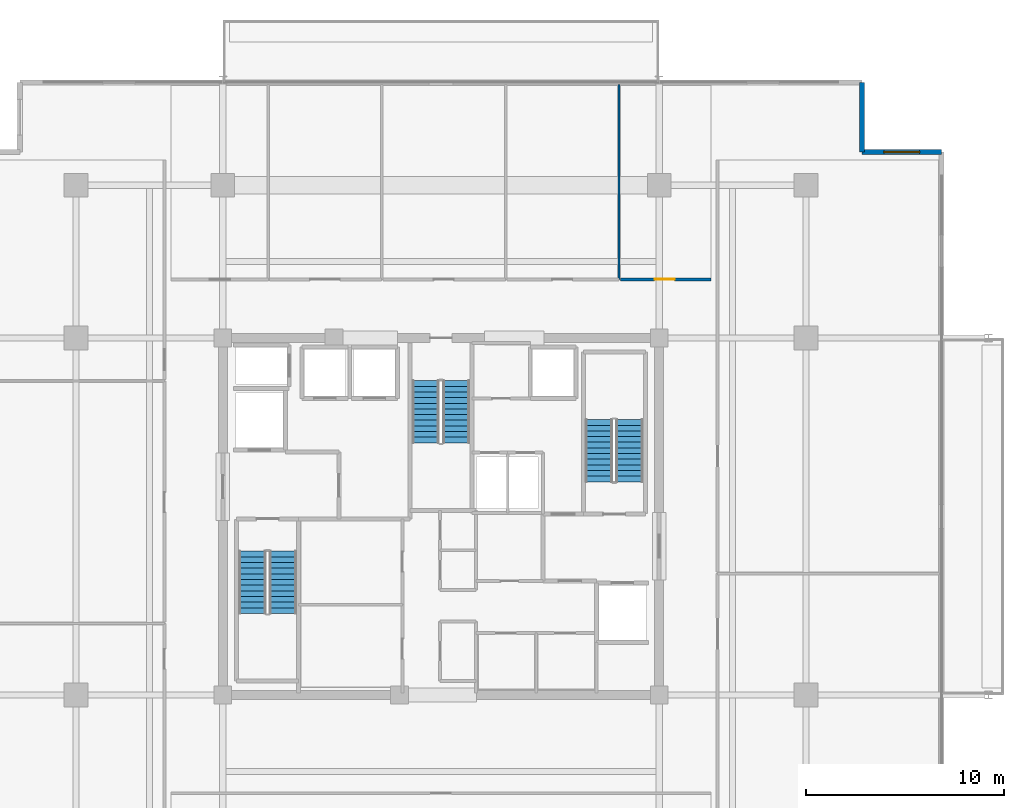
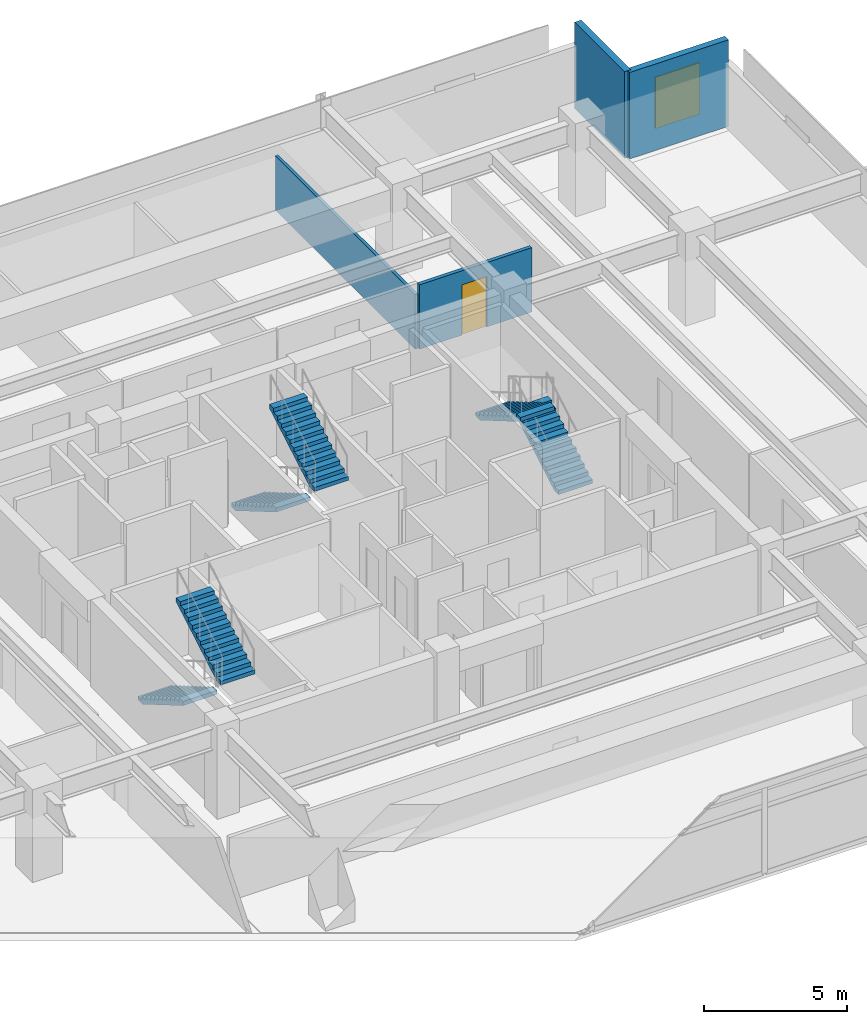
# One storey, part 16 of 20: 6 stair flights, 4 walls, 1 door, 1 window, 2 openings, 3 elements without a shape of their own.
"""IFC4 building model written with IfcOpenShell, lengths in metres."""

from ifc_helpers import new_model, si_unit, direction, frame, frame_2d, origin, place, context, subcontext, project, spatial, polyline, rectangle, outline, extrude, material, layer, layer_set, type_object, element, fill, aggregate, save


model = new_model("IFC4")

# Units and contexts
model_context = context("Model", 3, precision=1e-05, world=origin(), true_north=direction((0.0, 1.0)))
body_context = subcontext(model_context, "Body", "Model", "MODEL_VIEW")
ifc_project = project(units=[si_unit("LENGTHUNIT", "METRE"), si_unit("AREAUNIT", "SQUARE_METRE"), si_unit("VOLUMEUNIT", "CUBIC_METRE"), si_unit("PLANEANGLEUNIT", "RADIAN"), si_unit("MASSUNIT", "GRAM", prefix="KILO")], contexts=[model_context])

# Site, building, storey
site_placement = place(None, origin())
site = spatial("IfcSite", under=ifc_project, at=site_placement, CompositionType="ELEMENT")
building_placement = place(site_placement, origin())
building = spatial("IfcBuilding", under=site, at=building_placement, Name="Kovane Verandah Tower", CompositionType="ELEMENT")
storey_placement = place(building_placement, frame((0.0, 0.0, 291.199951171875)))
storey = spatial("IfcBuildingStorey", under=building, at=storey_placement, Name="L68", CompositionType="ELEMENT", Elevation=291.199951171875)

# Wall, opening, door
ifc_material_1 = material(Name="Fire-Rated Gypsum Stud Partition", Category="gypsum")
ifc_layer_1 = layer(ifc_material_1, 0.14990234375)
ifc_layer_set_1 = layer_set([ifc_layer_1], Name="Fire-Rated Gypsum Stud Partition")
wall_type_1 = type_object("IfcWallType", Name="WL-COR-150", PredefinedType="PARTITIONING", material=ifc_layer_set_1)
wall_1_placement = place(storey_placement, frame((49.0458984375, 39.449951171875, 0.0), z_axis=(0.0, 0.0, 1.0), x_axis=(1.0, 0.0, 0.0)))
wall_1 = element("IfcWall", 1, at=wall_1_placement, inside=storey, type_object=wall_type_1, Name="L68 Breakout Pantry N5 Corridor Partition", PredefinedType="PARTITIONING", context=body_context, shape_type="SweptSolid", body=[
    extrude(rectangle(XDim=4.55419921875, YDim=0.14990234375, at=frame_2d((2.277099609375, 0.0))), origin(), (0.0, 0.0, 1.0), 2.75341796875),
])
opening_1_placement = place(wall_1_placement, frame((1.72705078125, 0.0, 0.0)))
opening_1 = element("IfcOpeningElement", 2, at=opening_1_placement, cuts=wall_1, Name="Opening DR-L68-025", PredefinedType="OPENING", context=body_context, shape_type="SweptSolid", body=[
    extrude(rectangle(XDim=1.0, YDim=2.14990234375, at=frame_2d((0.5, 1.074951171875))), frame((0.0, 0.074951171875, 0.0), z_axis=(0.0, -1.0, 0.0), x_axis=(1.0, 0.0, 0.0)), (0.0, 0.0, 1.0), 0.14990234375),
])
ifc_material_2 = material(Name="FSC Spotted-Gum Timber Fire-Rated Office Door", Category="wood")
door_type = type_object("IfcDoorType", Name="DR-OFF-1000", OperationType="SINGLE_SWING_LEFT", PredefinedType="DOOR", material=ifc_material_2)
door_placement = place(opening_1_placement, origin())
door = element("IfcDoor", 3, at=door_placement, inside=storey, type_object=door_type, Name="L68 Breakout Pantry N5 Entrance Door", OperationType="SINGLE_SWING_LEFT", OverallHeight=2.14990234375, OverallWidth=1.0, PredefinedType="DOOR", context=body_context, shape_type="SweptSolid", body=[
    extrude(rectangle(XDim=1.0, YDim=2.14990234375, at=frame_2d((0.5, 1.074951171875))), frame((0.0, 0.02490234375, 0.0), z_axis=(0.0, -1.0, 0.0), x_axis=(1.0, 0.0, 0.0)), (0.0, 0.0, 1.0), 0.050048828125),
])
fill(opening_1, door)

# Wall
ifc_material_3 = material(Name="Acoustic Fire-Rated Gypsum Partition", Category="gypsum")
ifc_layer_2 = layer(ifc_material_3, 0.1201171875)
ifc_layer_set_2 = layer_set([ifc_layer_2], Name="Acoustic Fire-Rated Gypsum Partition")
wall_type_2 = type_object("IfcWallType", Name="WL-PART-120", PredefinedType="PARTITIONING", material=ifc_layer_set_2)
wall_2_placement = place(storey_placement, frame((48.97607421875, 39.449951171875, 0.0), z_axis=(0.0, 0.0, 1.0), x_axis=(0.0, 1.0, 0.0)))
element("IfcWall", 4, at=wall_2_placement, inside=storey, type_object=wall_type_2, Name="L68 Focus Studio N4 Dividing Partition", PredefinedType="PARTITIONING", context=body_context, shape_type="SweptSolid", body=[
    extrude(rectangle(XDim=9.83056640625, YDim=0.1201171875, at=frame_2d((4.915283203125, 0.0))), origin(), (0.0, 0.0, 1.0), 2.330078125),
])

# Wall, opening, window
ifc_material_4 = material(Name="Concrete C45/55 Insulated Spandrel Wall", Category="concrete")
ifc_layer_3 = layer(ifc_material_4, 0.260009765625)
ifc_layer_set_3 = layer_set([ifc_layer_3], Name="Concrete C45/55 Insulated Spandrel Wall")
wall_type_3 = type_object("IfcWallType", Name="WL-SPANDREL-260", PredefinedType="PARAPET", material=ifc_layer_set_3)
wall_3_placement = place(storey_placement, frame((65.231689453125, 45.880615234375, 0.0), z_axis=(0.0, 0.0, 1.0), x_axis=(-1.0, 0.0, 0.0)))
wall_3 = element("IfcWall", 5, at=wall_3_placement, inside=storey, type_object=wall_type_3, Name="L68 NE Notch Cheek Wall 1", PredefinedType="PARAPET", context=body_context, shape_type="SweptSolid", body=[
    extrude(rectangle(XDim=4.0, YDim=0.260009765625, at=frame_2d((2.0, 0.0))), origin(), (0.0, 0.0, 1.0), 3.699951171875),
])
opening_2_placement = place(wall_3_placement, frame((1.10009765625, 0.0, 0.85009765625)))
opening_2 = element("IfcOpeningElement", 6, at=opening_2_placement, cuts=wall_3, Name="Opening W-03", PredefinedType="OPENING", context=body_context, shape_type="SweptSolid", body=[
    extrude(rectangle(XDim=1.800048828125, YDim=2.199951171875, at=frame_2d((0.89990234375, 1.10009765625))), frame((0.0, 0.1298828125, 0.0), z_axis=(0.0, -1.0, 0.0), x_axis=(1.0, 0.0, 0.0)), (0.0, 0.0, 1.0), 0.260009765625),
])
ifc_material_5 = material(Name="Clear Low-E Laminated Double Glazing in Anodised Frame", Category="glass")
window_type = type_object("IfcWindowType", Name="WN-NOTCH-1800x2200", PartitioningType="SINGLE_PANEL", PredefinedType="WINDOW", material=ifc_material_5)
window_placement = place(opening_2_placement, origin())
window = element("IfcWindow", 7, at=window_placement, inside=storey, type_object=window_type, Name="L68 NE Re-Entrant Corner Operable Window", OverallHeight=2.199951171875, OverallWidth=1.800048828125, PartitioningType="SINGLE_PANEL", PredefinedType="WINDOW", context=body_context, shape_type="SweptSolid", body=[
    extrude(rectangle(XDim=1.800048828125, YDim=2.199951171875, at=frame_2d((0.89990234375, 1.10009765625))), frame((0.0, 0.030029296875, 0.0), z_axis=(0.0, -1.0, 0.0), x_axis=(1.0, 0.0, 0.0)), (0.0, 0.0, 1.0), 0.06005859375),
])
fill(opening_2, window)

# Wall
wall_4_placement = place(storey_placement, frame((61.231689453125, 45.880615234375, 0.0), z_axis=(0.0, 0.0, 1.0), x_axis=(0.0, 1.0, 0.0)))
element("IfcWall", 8, at=wall_4_placement, inside=storey, type_object=wall_type_3, Name="L68 NE Notch Cheek Wall 2", PredefinedType="PARAPET", context=body_context, shape_type="SweptSolid", body=[
    extrude(rectangle(XDim=3.5, YDim=0.260009765625, at=frame_2d((1.75, 0.0))), origin(), (0.0, 0.0, 1.0), 3.699951171875),
])

# Stair, stair flights
ifc_material_6 = material(Name="Concrete C45/55", Category="concrete")
stair_type = type_object("IfcStairType", Name="ST-CORE-1380", PredefinedType="HALF_TURN_STAIR", material=ifc_material_6)
stair_1_placement = place(storey_placement, origin())
stair_1 = element("IfcStair", 9, at=stair_1_placement, inside=storey, type_object=stair_type, Name="L68 Exit Stair ST-01", PredefinedType="HALF_TURN_STAIR")
stair_flight_type = type_object("IfcStairFlightType", Name="STF-CORE-1380", PredefinedType="STRAIGHT", material=ifc_material_6)
stair_flight_1_placement = place(storey_placement, frame((30.489990234375, 25.75, 0.0), z_axis=(0.0, 0.0, 1.0), x_axis=(0.0, -1.0, 0.0)))
stair_flight_1 = element("IfcStairFlight", 10, at=stair_flight_1_placement, type_object=stair_flight_type, Name="ST-01 flight 1", NumberOfRisers=12, NumberOfTreads=11, PredefinedType="STRAIGHT", RiserHeight=0.166666667, TreadLength=0.285, context=body_context, shape_type="SweptSolid", body=[
    extrude(outline(polyline([(0.0, 0.0), (0.0, 0.166748046875), (0.284912109375, 0.166748046875), (0.284912109375, 0.333251953125), (0.570068359375, 0.333251953125), (0.570068359375, 0.5), (0.85498046875, 0.5), (0.85498046875, 0.666748046875), (1.139892578125, 0.666748046875), (1.139892578125, 0.833251953125), (1.425048828125, 0.833251953125), (1.425048828125, 1.0), (1.7099609375, 1.0), (1.7099609375, 1.166748046875), (1.9951171875, 1.166748046875), (1.9951171875, 1.333251953125), (2.280029296875, 1.333251953125), (2.280029296875, 1.5), (2.56494140625, 1.5), (2.56494140625, 1.666748046875), (2.85009765625, 1.666748046875), (2.85009765625, 1.833251953125), (3.135009765625, 1.833251953125), (3.135009765625, 2.0), (3.135009765625, 1.65966796875), (0.296875, 0.0), (0.0, 0.0)])), frame((0.0, 0.68994140625, 0.0), z_axis=(0.0, -1.0, 0.0), x_axis=(1.0, 0.0, 0.0)), (0.0, 0.0, 1.0), 1.3798828125),
])
stair_flight_2_placement = place(storey_placement, frame((32.030029296875, 22.614990234375, 2.0), z_axis=(0.0, 0.0, 1.0), x_axis=(0.0, 1.0, 0.0)))
stair_flight_2 = element("IfcStairFlight", 11, at=stair_flight_2_placement, type_object=stair_flight_type, Name="ST-01 flight 2", NumberOfRisers=12, NumberOfTreads=11, PredefinedType="STRAIGHT", RiserHeight=0.166666667, TreadLength=0.285, context=body_context, shape_type="SweptSolid", body=[
    extrude(outline(polyline([(0.0, 0.0), (0.0, 0.166748046875), (0.284912109375, 0.166748046875), (0.284912109375, 0.333251953125), (0.570068359375, 0.333251953125), (0.570068359375, 0.5), (0.85498046875, 0.5), (0.85498046875, 0.666748046875), (1.139892578125, 0.666748046875), (1.139892578125, 0.833251953125), (1.425048828125, 0.833251953125), (1.425048828125, 1.0), (1.7099609375, 1.0), (1.7099609375, 1.166748046875), (1.9951171875, 1.166748046875), (1.9951171875, 1.333251953125), (2.280029296875, 1.333251953125), (2.280029296875, 1.5), (2.56494140625, 1.5), (2.56494140625, 1.666748046875), (2.85009765625, 1.666748046875), (2.85009765625, 1.833251953125), (3.135009765625, 1.833251953125), (3.135009765625, 2.0), (3.135009765625, 1.65966796875), (0.296875, 0.0), (0.0, 0.0)])), frame((0.0, 0.68994140625, 0.0), z_axis=(0.0, -1.0, 0.0), x_axis=(1.0, 0.0, 0.0)), (0.0, 0.0, 1.0), 1.3798828125),
])
aggregate(stair_1, [stair_flight_1, stair_flight_2])

stair_2_placement = place(storey_placement, origin())
stair_2 = element("IfcStair", 12, at=stair_2_placement, inside=storey, type_object=stair_type, Name="L68 Exit Stair ST-02", PredefinedType="HALF_TURN_STAIR")
stair_flight_3_placement = place(storey_placement, frame((49.510009765625, 29.25, 0.0), z_axis=(0.0, 0.0, 1.0), x_axis=(0.0, 1.0, 0.0)))
stair_flight_3 = element("IfcStairFlight", 13, at=stair_flight_3_placement, type_object=stair_flight_type, Name="ST-02 flight 1", NumberOfRisers=12, NumberOfTreads=11, PredefinedType="STRAIGHT", RiserHeight=0.166666667, TreadLength=0.285, context=body_context, shape_type="SweptSolid", body=[
    extrude(outline(polyline([(0.0, 0.0), (0.0, 0.166748046875), (0.284912109375, 0.166748046875), (0.284912109375, 0.333251953125), (0.570068359375, 0.333251953125), (0.570068359375, 0.5), (0.85498046875, 0.5), (0.85498046875, 0.666748046875), (1.139892578125, 0.666748046875), (1.139892578125, 0.833251953125), (1.425048828125, 0.833251953125), (1.425048828125, 1.0), (1.7099609375, 1.0), (1.7099609375, 1.166748046875), (1.9951171875, 1.166748046875), (1.9951171875, 1.333251953125), (2.280029296875, 1.333251953125), (2.280029296875, 1.5), (2.56494140625, 1.5), (2.56494140625, 1.666748046875), (2.85009765625, 1.666748046875), (2.85009765625, 1.833251953125), (3.135009765625, 1.833251953125), (3.135009765625, 2.0), (3.135009765625, 1.65966796875), (0.296875, 0.0), (0.0, 0.0)])), frame((0.0, 0.68994140625, 0.0), z_axis=(0.0, -1.0, 0.0), x_axis=(1.0, 0.0, 0.0)), (0.0, 0.0, 1.0), 1.3798828125),
])
stair_flight_4_placement = place(storey_placement, frame((47.969970703125, 32.385009765625, 2.0), z_axis=(0.0, 0.0, 1.0), x_axis=(0.0, -1.0, 0.0)))
stair_flight_4 = element("IfcStairFlight", 14, at=stair_flight_4_placement, type_object=stair_flight_type, Name="ST-02 flight 2", NumberOfRisers=12, NumberOfTreads=11, PredefinedType="STRAIGHT", RiserHeight=0.166666667, TreadLength=0.285, context=body_context, shape_type="SweptSolid", body=[
    extrude(outline(polyline([(0.0, 0.0), (0.0, 0.166748046875), (0.284912109375, 0.166748046875), (0.284912109375, 0.333251953125), (0.570068359375, 0.333251953125), (0.570068359375, 0.5), (0.85498046875, 0.5), (0.85498046875, 0.666748046875), (1.139892578125, 0.666748046875), (1.139892578125, 0.833251953125), (1.425048828125, 0.833251953125), (1.425048828125, 1.0), (1.7099609375, 1.0), (1.7099609375, 1.166748046875), (1.9951171875, 1.166748046875), (1.9951171875, 1.333251953125), (2.280029296875, 1.333251953125), (2.280029296875, 1.5), (2.56494140625, 1.5), (2.56494140625, 1.666748046875), (2.85009765625, 1.666748046875), (2.85009765625, 1.833251953125), (3.135009765625, 1.833251953125), (3.135009765625, 2.0), (3.135009765625, 1.65966796875), (0.296875, 0.0), (0.0, 0.0)])), frame((0.0, 0.68994140625, 0.0), z_axis=(0.0, -1.0, 0.0), x_axis=(1.0, 0.0, 0.0)), (0.0, 0.0, 1.0), 1.3798828125),
])
aggregate(stair_2, [stair_flight_3, stair_flight_4])

stair_3_placement = place(storey_placement, origin())
stair_3 = element("IfcStair", 15, at=stair_3_placement, inside=storey, type_object=stair_type, Name="L68 Exit Stair ST-03", PredefinedType="HALF_TURN_STAIR")
stair_flight_5_placement = place(storey_placement, frame((39.22998046875, 34.35009765625, 0.0), z_axis=(0.0, 0.0, 1.0), x_axis=(0.0, -1.0, 0.0)))
stair_flight_5 = element("IfcStairFlight", 16, at=stair_flight_5_placement, type_object=stair_flight_type, Name="ST-03 flight 1", NumberOfRisers=12, NumberOfTreads=11, PredefinedType="STRAIGHT", RiserHeight=0.166666667, TreadLength=0.285, context=body_context, shape_type="SweptSolid", body=[
    extrude(outline(polyline([(0.0, 0.0), (0.0, 0.166748046875), (0.284912109375, 0.166748046875), (0.284912109375, 0.333251953125), (0.570068359375, 0.333251953125), (0.570068359375, 0.5), (0.85498046875, 0.5), (0.85498046875, 0.666748046875), (1.139892578125, 0.666748046875), (1.139892578125, 0.833251953125), (1.425048828125, 0.833251953125), (1.425048828125, 1.0), (1.7099609375, 1.0), (1.7099609375, 1.166748046875), (1.9951171875, 1.166748046875), (1.9951171875, 1.333251953125), (2.280029296875, 1.333251953125), (2.280029296875, 1.5), (2.56494140625, 1.5), (2.56494140625, 1.666748046875), (2.85009765625, 1.666748046875), (2.85009765625, 1.833251953125), (3.135009765625, 1.833251953125), (3.135009765625, 2.0), (3.135009765625, 1.65966796875), (0.296875, 0.0), (0.0, 0.0)])), frame((0.0, 0.68994140625, 0.0), z_axis=(0.0, -1.0, 0.0), x_axis=(1.0, 0.0, 0.0)), (0.0, 0.0, 1.0), 1.3798828125),
])
stair_flight_6_placement = place(storey_placement, frame((40.77001953125, 31.215087890625, 2.0), z_axis=(0.0, 0.0, 1.0), x_axis=(0.0, 1.0, 0.0)))
stair_flight_6 = element("IfcStairFlight", 17, at=stair_flight_6_placement, type_object=stair_flight_type, Name="ST-03 flight 2", NumberOfRisers=12, NumberOfTreads=11, PredefinedType="STRAIGHT", RiserHeight=0.166666667, TreadLength=0.285, context=body_context, shape_type="SweptSolid", body=[
    extrude(outline(polyline([(0.0, 0.0), (0.0, 0.166748046875), (0.284912109375, 0.166748046875), (0.284912109375, 0.333251953125), (0.570068359375, 0.333251953125), (0.570068359375, 0.5), (0.85498046875, 0.5), (0.85498046875, 0.666748046875), (1.139892578125, 0.666748046875), (1.139892578125, 0.833251953125), (1.425048828125, 0.833251953125), (1.425048828125, 1.0), (1.7099609375, 1.0), (1.7099609375, 1.166748046875), (1.9951171875, 1.166748046875), (1.9951171875, 1.333251953125), (2.280029296875, 1.333251953125), (2.280029296875, 1.5), (2.56494140625, 1.5), (2.56494140625, 1.666748046875), (2.85009765625, 1.666748046875), (2.85009765625, 1.833251953125), (3.135009765625, 1.833251953125), (3.135009765625, 2.0), (3.135009765625, 1.65966796875), (0.296875, 0.0), (0.0, 0.0)])), frame((0.0, 0.68994140625, 0.0), z_axis=(0.0, -1.0, 0.0), x_axis=(1.0, 0.0, 0.0)), (0.0, 0.0, 1.0), 1.3798828125),
])
aggregate(stair_3, [stair_flight_5, stair_flight_6])

save(model, "model.ifc")
